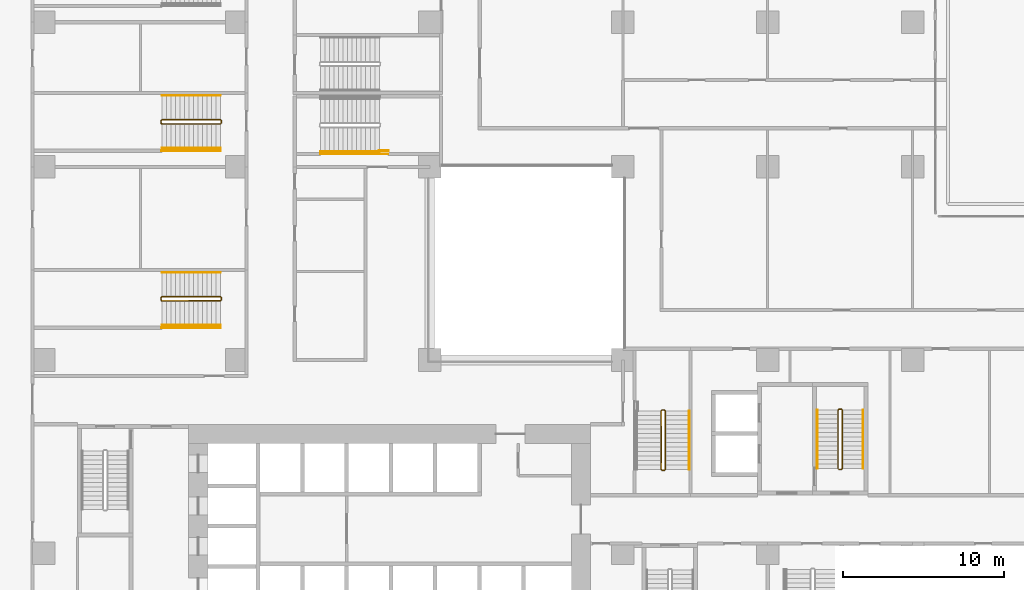
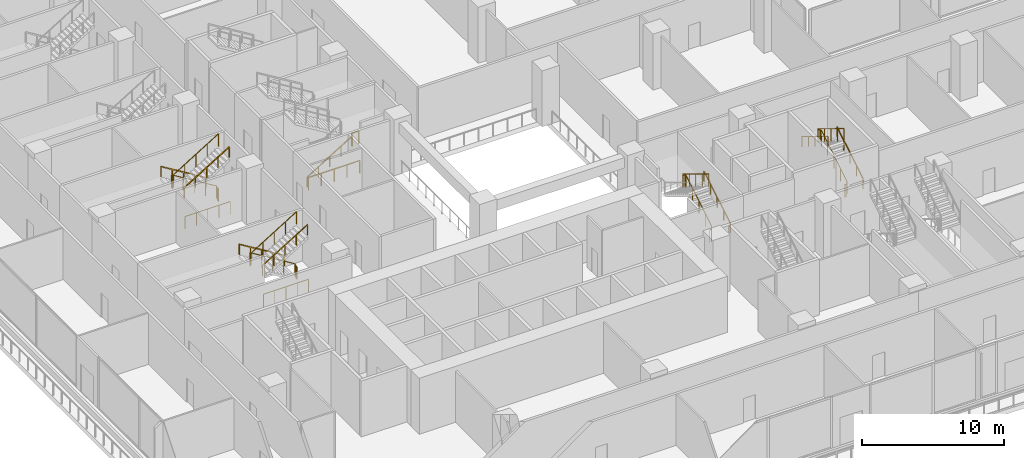
# One storey, part 23 of 26: 16 railings.
"""IFC4 building model written with IfcOpenShell, lengths in metres."""

from ifc_helpers import new_model, si_unit, direction, frame, origin, origin_2d, place, context, subcontext, project, spatial, rectangle, extrude, material, type_object, element, save


model = new_model("IFC4")

# Units and contexts
model_context = context("Model", 3, precision=1e-05, world=origin(), true_north=direction((0.0, 1.0)))
body_context = subcontext(model_context, "Body", "Model", "MODEL_VIEW")
ifc_project = project(units=[si_unit("LENGTHUNIT", "METRE"), si_unit("AREAUNIT", "SQUARE_METRE"), si_unit("VOLUMEUNIT", "CUBIC_METRE"), si_unit("PLANEANGLEUNIT", "RADIAN"), si_unit("MASSUNIT", "GRAM", prefix="KILO")], contexts=[model_context])

# Site, building, storey
site_placement = place(None, origin())
site = spatial("IfcSite", under=ifc_project, at=site_placement, CompositionType="ELEMENT")
building_placement = place(site_placement, origin())
building = spatial("IfcBuilding", under=site, at=building_placement, Name="Chenar Terraces", CompositionType="ELEMENT")
storey_placement = place(building_placement, frame((0.0, 0.0, 16.800048828125)))
storey = spatial("IfcBuildingStorey", under=building, at=storey_placement, Name="L03", CompositionType="ELEMENT", Elevation=16.800048828125)

# Railings
ifc_material_1 = material(Name="Powder-coated steel", Category="steel")
railing_type_1 = type_object("IfcRailingType", Name="Stair guard 1100", PredefinedType="GUARDRAIL", material=ifc_material_1)
railing_1_placement = place(storey_placement, frame((49.375, 17.25, 4.800048828125)))
element("IfcRailing", 1, at=railing_1_placement, inside=storey, type_object=railing_type_1, Name="L03 ST3 stair guard 1", PredefinedType="GUARDRAIL", context=body_context, shape_type="SweptSolid", body=[
    extrude(rectangle(XDim=0.048095703125, YDim=0.048095703125, at=origin_2d()), frame((0.0, 0.0, 1.076171875), z_axis=(0.0, 0.852824790078, -0.522197163366), x_axis=(-1.0, 0.0, 0.0)), (0.0, 0.0, 1.0), 4.26806640625),
    extrude(rectangle(XDim=0.048095703125, YDim=0.048095703125, at=origin_2d()), frame((0.0, 3.639892578125, -1.15283203125), z_axis=(0.269911200495, 0.269911200495, -0.924281281696), x_axis=(-0.707106781187, 0.707106781187, 0.0)), (0.0, 0.0, 1.0), 0.185546875),
    extrude(rectangle(XDim=0.048095703125, YDim=0.048095703125, at=origin_2d()), frame((0.050048828125, 3.68994140625, -1.32421875), z_axis=(1.0, 0.0, 0.0), x_axis=(0.0, 1.0, 0.0)), (0.0, 0.0, 1.0), 0.14990234375),
    extrude(rectangle(XDim=0.048095703125, YDim=0.048095703125, at=origin_2d()), frame((0.199951171875, 3.68994140625, -1.32421875), z_axis=(0.707106781187, -0.707106781187, 0.0), x_axis=(0.707106781187, 0.707106781187, 0.0)), (0.0, 0.0, 1.0), 0.07080078125),
    extrude(rectangle(XDim=0.048095703125, YDim=0.048095703125, at=origin_2d()), frame((0.25, 3.639892578125, -1.32421875), z_axis=(0.0, -0.852850264322, -0.5221555579), x_axis=(1.0, 0.0, 0.0)), (0.0, 0.0, 1.0), 4.267822265625),
    extrude(rectangle(XDim=0.048095703125, YDim=0.048095703125, at=origin_2d()), frame((0.25, 0.0, -3.552734375), z_axis=(-0.269911200495, -0.269911200495, -0.924281281696), x_axis=(0.707106781187, -0.707106781187, 0.0)), (0.0, 0.0, 1.0), 0.185546875),
    extrude(rectangle(XDim=0.048095703125, YDim=0.048095703125, at=origin_2d()), frame((0.199951171875, -0.050048828125, -3.72412109375), z_axis=(-1.0, 0.0, 0.0), x_axis=(0.0, -1.0, 0.0)), (0.0, 0.0, 1.0), 0.14990234375),
    extrude(rectangle(XDim=0.0419921875, YDim=0.0419921875, at=origin_2d()), origin(), (0.0, 0.0, 1.0), 1.052001953125),
    extrude(rectangle(XDim=0.0419921875, YDim=0.0419921875, at=origin_2d()), frame((0.0, 0.909912109375, -0.55712890625)), (0.0, 0.0, 1.0), 1.052001953125),
    extrude(rectangle(XDim=0.0419921875, YDim=0.0419921875, at=origin_2d()), frame((0.0, 1.81982421875, -1.1142578125)), (0.0, 0.0, 1.0), 1.052001953125),
    extrude(rectangle(XDim=0.0419921875, YDim=0.0419921875, at=origin_2d()), frame((0.0, 2.72998046875, -1.671630859375)), (0.0, 0.0, 1.0), 1.052001953125),
    extrude(rectangle(XDim=0.0419921875, YDim=0.0419921875, at=origin_2d()), frame((0.0, 3.639892578125, -2.228759765625)), (0.0, 0.0, 1.0), 1.052001953125),
    extrude(rectangle(XDim=0.0419921875, YDim=0.0419921875, at=origin_2d()), frame((0.050048828125, 3.68994140625, -2.400146484375)), (0.0, 0.0, 1.0), 1.052001953125),
    extrude(rectangle(XDim=0.0419921875, YDim=0.0419921875, at=origin_2d()), frame((0.199951171875, 3.68994140625, -2.400146484375)), (0.0, 0.0, 1.0), 1.052001953125),
    extrude(rectangle(XDim=0.0419921875, YDim=0.0419921875, at=origin_2d()), frame((0.25, 3.639892578125, -2.400146484375)), (0.0, 0.0, 1.0), 1.052001953125),
    extrude(rectangle(XDim=0.0419921875, YDim=0.0419921875, at=origin_2d()), frame((0.25, 2.72998046875, -2.957275390625)), (0.0, 0.0, 1.0), 1.052001953125),
    extrude(rectangle(XDim=0.0419921875, YDim=0.0419921875, at=origin_2d()), frame((0.25, 1.81982421875, -3.514404296875)), (0.0, 0.0, 1.0), 1.052001953125),
    extrude(rectangle(XDim=0.0419921875, YDim=0.0419921875, at=origin_2d()), frame((0.25, 0.909912109375, -4.071533203125)), (0.0, 0.0, 1.0), 1.052001953125),
    extrude(rectangle(XDim=0.0419921875, YDim=0.0419921875, at=origin_2d()), frame((0.25, 0.0, -4.628662109375)), (0.0, 0.0, 1.0), 1.052001953125),
    extrude(rectangle(XDim=0.0419921875, YDim=0.0419921875, at=origin_2d()), frame((0.199951171875, -0.050048828125, -4.800048828125)), (0.0, 0.0, 1.0), 1.052001953125),
    extrude(rectangle(XDim=0.0419921875, YDim=0.0419921875, at=origin_2d()), frame((0.050048828125, -0.050048828125, -4.800048828125)), (0.0, 0.0, 1.0), 1.052001953125),
])
railing_2_placement = place(storey_placement, frame((38.375, 17.199951171875, 4.800048828125)))
element("IfcRailing", 2, at=railing_2_placement, inside=storey, type_object=railing_type_1, Name="L03 PS1 stair guard 1", PredefinedType="GUARDRAIL", context=body_context, shape_type="SweptSolid", body=[
    extrude(rectangle(XDim=0.048095703125, YDim=0.048095703125, at=origin_2d()), frame((0.0, 0.0, 1.076171875), z_axis=(0.0, 0.852840387347, -0.522171689878), x_axis=(-1.0, 0.0, 0.0)), (0.0, 0.0, 1.0), 4.268310546875),
    extrude(rectangle(XDim=0.048095703125, YDim=0.048095703125, at=origin_2d()), frame((0.0, 3.64013671875, -1.15283203125), z_axis=(0.270006937388, 0.268689830376, -0.924609122178), x_axis=(-0.705375805398, 0.708833529934, 0.0)), (0.0, 0.0, 1.0), 0.185302734375),
    extrude(rectangle(XDim=0.048095703125, YDim=0.048095703125, at=origin_2d()), frame((0.050048828125, 3.68994140625, -1.32421875), z_axis=(1.0, 0.0, 0.0), x_axis=(0.0, 1.0, 0.0)), (0.0, 0.0, 1.0), 0.14990234375),
    extrude(rectangle(XDim=0.048095703125, YDim=0.048095703125, at=origin_2d()), frame((0.199951171875, 3.68994140625, -1.32421875), z_axis=(0.708833529934, -0.705375805398, 0.0), x_axis=(0.705375805398, 0.708833529934, 0.0)), (0.0, 0.0, 1.0), 0.070556640625),
    extrude(rectangle(XDim=0.048095703125, YDim=0.048095703125, at=origin_2d()), frame((0.25, 3.64013671875, -1.32421875), z_axis=(0.0, -0.852865859571, -0.52213008492), x_axis=(1.0, 0.0, 0.0)), (0.0, 0.0, 1.0), 4.26806640625),
    extrude(rectangle(XDim=0.048095703125, YDim=0.048095703125, at=origin_2d()), frame((0.25, 0.0, -3.552734375), z_axis=(-0.269911200495, -0.269911200495, -0.924281281696), x_axis=(0.707106781187, -0.707106781187, 0.0)), (0.0, 0.0, 1.0), 0.185546875),
    extrude(rectangle(XDim=0.048095703125, YDim=0.048095703125, at=origin_2d()), frame((0.199951171875, -0.050048828125, -3.72412109375), z_axis=(-1.0, 0.0, 0.0), x_axis=(0.0, -1.0, 0.0)), (0.0, 0.0, 1.0), 0.14990234375),
    extrude(rectangle(XDim=0.0419921875, YDim=0.0419921875, at=origin_2d()), origin(), (0.0, 0.0, 1.0), 1.052001953125),
    extrude(rectangle(XDim=0.0419921875, YDim=0.0419921875, at=origin_2d()), frame((0.0, 0.91015625, -0.55712890625)), (0.0, 0.0, 1.0), 1.052001953125),
    extrude(rectangle(XDim=0.0419921875, YDim=0.0419921875, at=origin_2d()), frame((0.0, 1.820068359375, -1.1142578125)), (0.0, 0.0, 1.0), 1.052001953125),
    extrude(rectangle(XDim=0.0419921875, YDim=0.0419921875, at=origin_2d()), frame((0.0, 2.72998046875, -1.671630859375)), (0.0, 0.0, 1.0), 1.052001953125),
    extrude(rectangle(XDim=0.0419921875, YDim=0.0419921875, at=origin_2d()), frame((0.0, 3.64013671875, -2.228759765625)), (0.0, 0.0, 1.0), 1.052001953125),
    extrude(rectangle(XDim=0.0419921875, YDim=0.0419921875, at=origin_2d()), frame((0.050048828125, 3.68994140625, -2.400146484375)), (0.0, 0.0, 1.0), 1.052001953125),
    extrude(rectangle(XDim=0.0419921875, YDim=0.0419921875, at=origin_2d()), frame((0.199951171875, 3.68994140625, -2.400146484375)), (0.0, 0.0, 1.0), 1.052001953125),
    extrude(rectangle(XDim=0.0419921875, YDim=0.0419921875, at=origin_2d()), frame((0.25, 3.64013671875, -2.400146484375)), (0.0, 0.0, 1.0), 1.052001953125),
    extrude(rectangle(XDim=0.0419921875, YDim=0.0419921875, at=origin_2d()), frame((0.25, 2.72998046875, -2.957275390625)), (0.0, 0.0, 1.0), 1.052001953125),
    extrude(rectangle(XDim=0.0419921875, YDim=0.0419921875, at=origin_2d()), frame((0.25, 1.820068359375, -3.514404296875)), (0.0, 0.0, 1.0), 1.052001953125),
    extrude(rectangle(XDim=0.0419921875, YDim=0.0419921875, at=origin_2d()), frame((0.25, 0.91015625, -4.071533203125)), (0.0, 0.0, 1.0), 1.052001953125),
    extrude(rectangle(XDim=0.0419921875, YDim=0.0419921875, at=origin_2d()), frame((0.25, 0.0, -4.628662109375)), (0.0, 0.0, 1.0), 1.052001953125),
    extrude(rectangle(XDim=0.0419921875, YDim=0.0419921875, at=origin_2d()), frame((0.199951171875, -0.050048828125, -4.800048828125)), (0.0, 0.0, 1.0), 1.052001953125),
    extrude(rectangle(XDim=0.0419921875, YDim=0.0419921875, at=origin_2d()), frame((0.050048828125, -0.050048828125, -4.800048828125)), (0.0, 0.0, 1.0), 1.052001953125),
])
railing_3_placement = place(storey_placement, frame((10.985107421875, 27.675048828125, 4.800048828125)))
element("IfcRailing", 3, at=railing_3_placement, inside=storey, type_object=railing_type_1, Name="L03 PS5 stair guard 1", PredefinedType="GUARDRAIL", context=body_context, shape_type="SweptSolid", body=[
    extrude(rectangle(XDim=0.048095703125, YDim=0.048095703125, at=origin_2d()), frame((0.0, 0.0, 1.076171875), z_axis=(-0.852840387347, 0.0, -0.522171689878), x_axis=(0.0, -1.0, 0.0)), (0.0, 0.0, 1.0), 4.268310546875),
    extrude(rectangle(XDim=0.048095703125, YDim=0.048095703125, at=origin_2d()), frame((-3.64013671875, 0.0, -1.15283203125), z_axis=(-0.269911200495, 0.269911200495, -0.924281281696), x_axis=(-0.707106781187, -0.707106781187, 0.0)), (0.0, 0.0, 1.0), 0.185546875),
    extrude(rectangle(XDim=0.048095703125, YDim=0.048095703125, at=origin_2d()), frame((-3.690185546875, 0.050048828125, -1.32421875), z_axis=(0.0, 1.0, 0.0), x_axis=(-1.0, 0.0, 0.0)), (0.0, 0.0, 1.0), 0.14990234375),
    extrude(rectangle(XDim=0.048095703125, YDim=0.048095703125, at=origin_2d()), frame((-3.690185546875, 0.199951171875, -1.32421875), z_axis=(0.707106781187, 0.707106781187, 0.0), x_axis=(-0.707106781187, 0.707106781187, 0.0)), (0.0, 0.0, 1.0), 0.07080078125),
    extrude(rectangle(XDim=0.048095703125, YDim=0.048095703125, at=origin_2d()), frame((-3.64013671875, 0.25, -1.32421875), z_axis=(0.852865859571, 0.0, -0.52213008492), x_axis=(0.0, 1.0, 0.0)), (0.0, 0.0, 1.0), 4.26806640625),
    extrude(rectangle(XDim=0.048095703125, YDim=0.048095703125, at=origin_2d()), frame((0.0, 0.25, -3.552734375), z_axis=(0.268689830376, -0.270006937388, -0.924609122178), x_axis=(0.708833529934, 0.705375805398, 0.0)), (0.0, 0.0, 1.0), 0.185302734375),
    extrude(rectangle(XDim=0.048095703125, YDim=0.048095703125, at=origin_2d()), frame((0.0498046875, 0.199951171875, -3.72412109375), z_axis=(0.0, -1.0, 0.0), x_axis=(1.0, 0.0, 0.0)), (0.0, 0.0, 1.0), 0.14990234375),
    extrude(rectangle(XDim=0.0419921875, YDim=0.0419921875, at=origin_2d()), origin(), (0.0, 0.0, 1.0), 1.052001953125),
    extrude(rectangle(XDim=0.0419921875, YDim=0.0419921875, at=origin_2d()), frame((-0.91015625, 0.0, -0.55712890625)), (0.0, 0.0, 1.0), 1.052001953125),
    extrude(rectangle(XDim=0.0419921875, YDim=0.0419921875, at=origin_2d()), frame((-1.820068359375, 0.0, -1.1142578125)), (0.0, 0.0, 1.0), 1.052001953125),
    extrude(rectangle(XDim=0.0419921875, YDim=0.0419921875, at=origin_2d()), frame((-2.72998046875, 0.0, -1.671630859375)), (0.0, 0.0, 1.0), 1.052001953125),
    extrude(rectangle(XDim=0.0419921875, YDim=0.0419921875, at=origin_2d()), frame((-3.64013671875, 0.0, -2.228759765625)), (0.0, 0.0, 1.0), 1.052001953125),
    extrude(rectangle(XDim=0.0419921875, YDim=0.0419921875, at=origin_2d()), frame((-3.690185546875, 0.050048828125, -2.400146484375)), (0.0, 0.0, 1.0), 1.052001953125),
    extrude(rectangle(XDim=0.0419921875, YDim=0.0419921875, at=origin_2d()), frame((-3.690185546875, 0.199951171875, -2.400146484375)), (0.0, 0.0, 1.0), 1.052001953125),
    extrude(rectangle(XDim=0.0419921875, YDim=0.0419921875, at=origin_2d()), frame((-3.64013671875, 0.25, -2.400146484375)), (0.0, 0.0, 1.0), 1.052001953125),
    extrude(rectangle(XDim=0.0419921875, YDim=0.0419921875, at=origin_2d()), frame((-2.72998046875, 0.25, -2.957275390625)), (0.0, 0.0, 1.0), 1.052001953125),
    extrude(rectangle(XDim=0.0419921875, YDim=0.0419921875, at=origin_2d()), frame((-1.820068359375, 0.25, -3.514404296875)), (0.0, 0.0, 1.0), 1.052001953125),
    extrude(rectangle(XDim=0.0419921875, YDim=0.0419921875, at=origin_2d()), frame((-0.91015625, 0.25, -4.071533203125)), (0.0, 0.0, 1.0), 1.052001953125),
    extrude(rectangle(XDim=0.0419921875, YDim=0.0419921875, at=origin_2d()), frame((0.0, 0.25, -4.628662109375)), (0.0, 0.0, 1.0), 1.052001953125),
    extrude(rectangle(XDim=0.0419921875, YDim=0.0419921875, at=origin_2d()), frame((0.0498046875, 0.199951171875, -4.800048828125)), (0.0, 0.0, 1.0), 1.052001953125),
    extrude(rectangle(XDim=0.0419921875, YDim=0.0419921875, at=origin_2d()), frame((0.0498046875, 0.050048828125, -4.800048828125)), (0.0, 0.0, 1.0), 1.052001953125),
])
railing_4_placement = place(storey_placement, frame((10.985107421875, 38.675048828125, 4.800048828125)))
element("IfcRailing", 4, at=railing_4_placement, inside=storey, type_object=railing_type_1, Name="L03 PS9 stair guard 1", PredefinedType="GUARDRAIL", context=body_context, shape_type="SweptSolid", body=[
    extrude(rectangle(XDim=0.048095703125, YDim=0.048095703125, at=origin_2d()), frame((0.0, 0.0, 1.076171875), z_axis=(-0.852840387347, 0.0, -0.522171689878), x_axis=(0.0, -1.0, 0.0)), (0.0, 0.0, 1.0), 4.268310546875),
    extrude(rectangle(XDim=0.048095703125, YDim=0.048095703125, at=origin_2d()), frame((-3.64013671875, 0.0, -1.15283203125), z_axis=(-0.269911200495, 0.269911200495, -0.924281281696), x_axis=(-0.707106781187, -0.707106781187, 0.0)), (0.0, 0.0, 1.0), 0.185546875),
    extrude(rectangle(XDim=0.048095703125, YDim=0.048095703125, at=origin_2d()), frame((-3.690185546875, 0.050048828125, -1.32421875), z_axis=(0.0, 1.0, 0.0), x_axis=(-1.0, 0.0, 0.0)), (0.0, 0.0, 1.0), 0.14990234375),
    extrude(rectangle(XDim=0.048095703125, YDim=0.048095703125, at=origin_2d()), frame((-3.690185546875, 0.199951171875, -1.32421875), z_axis=(0.707106781187, 0.707106781187, 0.0), x_axis=(-0.707106781187, 0.707106781187, 0.0)), (0.0, 0.0, 1.0), 0.07080078125),
    extrude(rectangle(XDim=0.048095703125, YDim=0.048095703125, at=origin_2d()), frame((-3.64013671875, 0.25, -1.32421875), z_axis=(0.852865859571, 0.0, -0.52213008492), x_axis=(0.0, 1.0, 0.0)), (0.0, 0.0, 1.0), 4.26806640625),
    extrude(rectangle(XDim=0.048095703125, YDim=0.048095703125, at=origin_2d()), frame((0.0, 0.25, -3.552734375), z_axis=(0.268689830376, -0.270006937388, -0.924609122178), x_axis=(0.708833529934, 0.705375805398, 0.0)), (0.0, 0.0, 1.0), 0.185302734375),
    extrude(rectangle(XDim=0.048095703125, YDim=0.048095703125, at=origin_2d()), frame((0.0498046875, 0.199951171875, -3.72412109375), z_axis=(0.0, -1.0, 0.0), x_axis=(1.0, 0.0, 0.0)), (0.0, 0.0, 1.0), 0.14990234375),
    extrude(rectangle(XDim=0.0419921875, YDim=0.0419921875, at=origin_2d()), origin(), (0.0, 0.0, 1.0), 1.052001953125),
    extrude(rectangle(XDim=0.0419921875, YDim=0.0419921875, at=origin_2d()), frame((-0.91015625, 0.0, -0.55712890625)), (0.0, 0.0, 1.0), 1.052001953125),
    extrude(rectangle(XDim=0.0419921875, YDim=0.0419921875, at=origin_2d()), frame((-1.820068359375, 0.0, -1.1142578125)), (0.0, 0.0, 1.0), 1.052001953125),
    extrude(rectangle(XDim=0.0419921875, YDim=0.0419921875, at=origin_2d()), frame((-2.72998046875, 0.0, -1.671630859375)), (0.0, 0.0, 1.0), 1.052001953125),
    extrude(rectangle(XDim=0.0419921875, YDim=0.0419921875, at=origin_2d()), frame((-3.64013671875, 0.0, -2.228759765625)), (0.0, 0.0, 1.0), 1.052001953125),
    extrude(rectangle(XDim=0.0419921875, YDim=0.0419921875, at=origin_2d()), frame((-3.690185546875, 0.050048828125, -2.400146484375)), (0.0, 0.0, 1.0), 1.052001953125),
    extrude(rectangle(XDim=0.0419921875, YDim=0.0419921875, at=origin_2d()), frame((-3.690185546875, 0.199951171875, -2.400146484375)), (0.0, 0.0, 1.0), 1.052001953125),
    extrude(rectangle(XDim=0.0419921875, YDim=0.0419921875, at=origin_2d()), frame((-3.64013671875, 0.25, -2.400146484375)), (0.0, 0.0, 1.0), 1.052001953125),
    extrude(rectangle(XDim=0.0419921875, YDim=0.0419921875, at=origin_2d()), frame((-2.72998046875, 0.25, -2.957275390625)), (0.0, 0.0, 1.0), 1.052001953125),
    extrude(rectangle(XDim=0.0419921875, YDim=0.0419921875, at=origin_2d()), frame((-1.820068359375, 0.25, -3.514404296875)), (0.0, 0.0, 1.0), 1.052001953125),
    extrude(rectangle(XDim=0.0419921875, YDim=0.0419921875, at=origin_2d()), frame((-0.91015625, 0.25, -4.071533203125)), (0.0, 0.0, 1.0), 1.052001953125),
    extrude(rectangle(XDim=0.0419921875, YDim=0.0419921875, at=origin_2d()), frame((0.0, 0.25, -4.628662109375)), (0.0, 0.0, 1.0), 1.052001953125),
    extrude(rectangle(XDim=0.0419921875, YDim=0.0419921875, at=origin_2d()), frame((0.0498046875, 0.199951171875, -4.800048828125)), (0.0, 0.0, 1.0), 1.052001953125),
    extrude(rectangle(XDim=0.0419921875, YDim=0.0419921875, at=origin_2d()), frame((0.0498046875, 0.050048828125, -4.800048828125)), (0.0, 0.0, 1.0), 1.052001953125),
])
railing_5_placement = place(storey_placement, frame((7.32421875, 26.010009765625, 0.0)))
element("IfcRailing", 5, at=railing_5_placement, inside=storey, type_object=railing_type_1, Name="L03 PS5 stair guard 101", PredefinedType="GUARDRAIL", context=body_context, shape_type="SweptSolid", body=[
    extrude(rectangle(XDim=0.048095703125, YDim=0.048095703125, at=origin_2d()), frame((0.0, 0.0, 1.076171875), z_axis=(1.0, 0.0, 0.0), x_axis=(0.0, 1.0, 0.0)), (0.0, 0.0, 1.0), 3.660888671875),
    extrude(rectangle(XDim=0.0419921875, YDim=0.0419921875, at=origin_2d()), origin(), (0.0, 0.0, 1.0), 1.052001953125),
    extrude(rectangle(XDim=0.0419921875, YDim=0.0419921875, at=origin_2d()), frame((0.915283203125, 0.0, 0.0)), (0.0, 0.0, 1.0), 1.052001953125),
    extrude(rectangle(XDim=0.0419921875, YDim=0.0419921875, at=origin_2d()), frame((1.83056640625, 0.0, 0.0)), (0.0, 0.0, 1.0), 1.052001953125),
    extrude(rectangle(XDim=0.0419921875, YDim=0.0419921875, at=origin_2d()), frame((2.74560546875, 0.0, 0.0)), (0.0, 0.0, 1.0), 1.052001953125),
    extrude(rectangle(XDim=0.0419921875, YDim=0.0419921875, at=origin_2d()), frame((3.660888671875, 0.0, 0.0)), (0.0, 0.0, 1.0), 1.052001953125),
])
railing_6_placement = place(storey_placement, frame((17.215087890625, 36.81005859375, 0.0)))
element("IfcRailing", 6, at=railing_6_placement, inside=storey, type_object=railing_type_1, Name="L03 PS7 stair guard 101", PredefinedType="GUARDRAIL", context=body_context, shape_type="SweptSolid", body=[
    extrude(rectangle(XDim=0.048095703125, YDim=0.048095703125, at=origin_2d()), frame((0.0, 0.0, 1.076171875), z_axis=(1.0, 0.0, 0.0), x_axis=(0.0, 1.0, 0.0)), (0.0, 0.0, 1.0), 4.169189453125),
    extrude(rectangle(XDim=0.0419921875, YDim=0.0419921875, at=origin_2d()), origin(), (0.0, 0.0, 1.0), 1.052001953125),
    extrude(rectangle(XDim=0.0419921875, YDim=0.0419921875, at=origin_2d()), frame((1.042236328125, 0.0, 0.0)), (0.0, 0.0, 1.0), 1.052001953125),
    extrude(rectangle(XDim=0.0419921875, YDim=0.0419921875, at=origin_2d()), frame((2.08447265625, 0.0, 0.0)), (0.0, 0.0, 1.0), 1.052001953125),
    extrude(rectangle(XDim=0.0419921875, YDim=0.0419921875, at=origin_2d()), frame((3.126953125, 0.0, 0.0)), (0.0, 0.0, 1.0), 1.052001953125),
    extrude(rectangle(XDim=0.0419921875, YDim=0.0419921875, at=origin_2d()), frame((4.169189453125, 0.0, 0.0)), (0.0, 0.0, 1.0), 1.052001953125),
])
railing_7_placement = place(storey_placement, frame((7.32421875, 37.010009765625, 0.0)))
element("IfcRailing", 7, at=railing_7_placement, inside=storey, type_object=railing_type_1, Name="L03 PS9 stair guard 101", PredefinedType="GUARDRAIL", context=body_context, shape_type="SweptSolid", body=[
    extrude(rectangle(XDim=0.048095703125, YDim=0.048095703125, at=origin_2d()), frame((0.0, 0.0, 1.076171875), z_axis=(1.0, 0.0, 0.0), x_axis=(0.0, 1.0, 0.0)), (0.0, 0.0, 1.0), 3.660888671875),
    extrude(rectangle(XDim=0.0419921875, YDim=0.0419921875, at=origin_2d()), origin(), (0.0, 0.0, 1.0), 1.052001953125),
    extrude(rectangle(XDim=0.0419921875, YDim=0.0419921875, at=origin_2d()), frame((0.915283203125, 0.0, 0.0)), (0.0, 0.0, 1.0), 1.052001953125),
    extrude(rectangle(XDim=0.0419921875, YDim=0.0419921875, at=origin_2d()), frame((1.83056640625, 0.0, 0.0)), (0.0, 0.0, 1.0), 1.052001953125),
    extrude(rectangle(XDim=0.0419921875, YDim=0.0419921875, at=origin_2d()), frame((2.74560546875, 0.0, 0.0)), (0.0, 0.0, 1.0), 1.052001953125),
    extrude(rectangle(XDim=0.0419921875, YDim=0.0419921875, at=origin_2d()), frame((3.660888671875, 0.0, 0.0)), (0.0, 0.0, 1.0), 1.052001953125),
])
railing_8_placement = place(storey_placement, frame((20.85498046875, 37.010009765625, 2.39990234375)))
element("IfcRailing", 8, at=railing_8_placement, inside=storey, type_object=railing_type_1, Name="L03 PS7 stair guard 201", PredefinedType="GUARDRAIL", context=body_context, shape_type="SweptSolid", body=[
    extrude(rectangle(XDim=0.048095703125, YDim=0.048095703125, at=origin_2d()), frame((0.0, 0.0, 1.076171875), z_axis=(1.0, 0.0, 0.0), x_axis=(0.0, 1.0, 0.0)), (0.0, 0.0, 1.0), 0.555908203125),
    extrude(rectangle(XDim=0.0419921875, YDim=0.0419921875, at=origin_2d()), origin(), (0.0, 0.0, 1.0), 1.052001953125),
    extrude(rectangle(XDim=0.0419921875, YDim=0.0419921875, at=origin_2d()), frame((0.555908203125, 0.0, 0.0)), (0.0, 0.0, 1.0), 1.052001953125),
])
ifc_material_2 = material(Name="Powder-coated steel", Category="steel")
railing_type_2 = type_object("IfcRailingType", Name="Stair handrail 900", PredefinedType="HANDRAIL", material=ifc_material_2)
railing_9_placement = place(storey_placement, frame((50.925048828125, 17.25, 0.17138671875)))
element("IfcRailing", 9, at=railing_9_placement, inside=storey, type_object=railing_type_2, Name="L03 ST3 stair handrail 1", PredefinedType="HANDRAIL", context=body_context, shape_type="SweptSolid", body=[
    extrude(rectangle(XDim=0.048095703125, YDim=0.048095703125, at=origin_2d()), frame((0.0, 0.0, 0.8759765625), z_axis=(0.0, 0.852850264322, 0.5221555579), x_axis=(-1.0, 0.0, 0.0)), (0.0, 0.0, 1.0), 4.267822265625),
    extrude(rectangle(XDim=0.0419921875, YDim=0.0419921875, at=origin_2d()), origin(), (0.0, 0.0, 1.0), 0.851806640625),
    extrude(rectangle(XDim=0.0419921875, YDim=0.0419921875, at=origin_2d()), frame((0.0, 0.909912109375, 0.55712890625)), (0.0, 0.0, 1.0), 0.851806640625),
    extrude(rectangle(XDim=0.0419921875, YDim=0.0419921875, at=origin_2d()), frame((0.0, 1.81982421875, 1.1142578125)), (0.0, 0.0, 1.0), 0.851806640625),
    extrude(rectangle(XDim=0.0419921875, YDim=0.0419921875, at=origin_2d()), frame((0.0, 2.72998046875, 1.67138671875)), (0.0, 0.0, 1.0), 0.851806640625),
    extrude(rectangle(XDim=0.0419921875, YDim=0.0419921875, at=origin_2d()), frame((0.0, 3.639892578125, 2.228515625)), (0.0, 0.0, 1.0), 0.851806640625),
])
railing_10_placement = place(storey_placement, frame((48.074951171875, 20.889892578125, 2.5712890625)))
element("IfcRailing", 10, at=railing_10_placement, inside=storey, type_object=railing_type_2, Name="L03 ST3 stair handrail 2", PredefinedType="HANDRAIL", context=body_context, shape_type="SweptSolid", body=[
    extrude(rectangle(XDim=0.048095703125, YDim=0.048095703125, at=origin_2d()), frame((0.0, 0.0, 0.8759765625), z_axis=(0.0, -0.852824790078, 0.522197163366), x_axis=(1.0, 0.0, 0.0)), (0.0, 0.0, 1.0), 4.26806640625),
    extrude(rectangle(XDim=0.0419921875, YDim=0.0419921875, at=origin_2d()), origin(), (0.0, 0.0, 1.0), 0.851806640625),
    extrude(rectangle(XDim=0.0419921875, YDim=0.0419921875, at=origin_2d()), frame((0.0, -0.909912109375, 0.55712890625)), (0.0, 0.0, 1.0), 0.851806640625),
    extrude(rectangle(XDim=0.0419921875, YDim=0.0419921875, at=origin_2d()), frame((0.0, -1.81982421875, 1.1142578125)), (0.0, 0.0, 1.0), 0.851806640625),
    extrude(rectangle(XDim=0.0419921875, YDim=0.0419921875, at=origin_2d()), frame((0.0, -2.72998046875, 1.671630859375)), (0.0, 0.0, 1.0), 0.851806640625),
    extrude(rectangle(XDim=0.0419921875, YDim=0.0419921875, at=origin_2d()), frame((0.0, -3.639892578125, 2.228759765625)), (0.0, 0.0, 1.0), 0.851806640625),
])
railing_11_placement = place(storey_placement, frame((40.125, 17.199951171875, 0.17138671875)))
element("IfcRailing", 11, at=railing_11_placement, inside=storey, type_object=railing_type_2, Name="L03 PS1 stair handrail 1", PredefinedType="HANDRAIL", context=body_context, shape_type="SweptSolid", body=[
    extrude(rectangle(XDim=0.048095703125, YDim=0.048095703125, at=origin_2d()), frame((0.0, 0.0, 0.8759765625), z_axis=(0.0, 0.852865859571, 0.52213008492), x_axis=(-1.0, 0.0, 0.0)), (0.0, 0.0, 1.0), 4.26806640625),
    extrude(rectangle(XDim=0.0419921875, YDim=0.0419921875, at=origin_2d()), origin(), (0.0, 0.0, 1.0), 0.851806640625),
    extrude(rectangle(XDim=0.0419921875, YDim=0.0419921875, at=origin_2d()), frame((0.0, 0.91015625, 0.55712890625)), (0.0, 0.0, 1.0), 0.851806640625),
    extrude(rectangle(XDim=0.0419921875, YDim=0.0419921875, at=origin_2d()), frame((0.0, 1.820068359375, 1.1142578125)), (0.0, 0.0, 1.0), 0.851806640625),
    extrude(rectangle(XDim=0.0419921875, YDim=0.0419921875, at=origin_2d()), frame((0.0, 2.72998046875, 1.67138671875)), (0.0, 0.0, 1.0), 0.851806640625),
    extrude(rectangle(XDim=0.0419921875, YDim=0.0419921875, at=origin_2d()), frame((0.0, 3.64013671875, 2.228515625)), (0.0, 0.0, 1.0), 0.851806640625),
])
railing_12_placement = place(storey_placement, frame((10.985107421875, 29.43994140625, 0.17138671875)))
element("IfcRailing", 12, at=railing_12_placement, inside=storey, type_object=railing_type_2, Name="L03 PS5 stair handrail 1", PredefinedType="HANDRAIL", context=body_context, shape_type="SweptSolid", body=[
    extrude(rectangle(XDim=0.048095703125, YDim=0.048095703125, at=origin_2d()), frame((0.0, 0.0, 0.8759765625), z_axis=(-0.852865859571, 0.0, 0.52213008492), x_axis=(0.0, -1.0, 0.0)), (0.0, 0.0, 1.0), 4.26806640625),
    extrude(rectangle(XDim=0.0419921875, YDim=0.0419921875, at=origin_2d()), origin(), (0.0, 0.0, 1.0), 0.851806640625),
    extrude(rectangle(XDim=0.0419921875, YDim=0.0419921875, at=origin_2d()), frame((-0.91015625, 0.0, 0.55712890625)), (0.0, 0.0, 1.0), 0.851806640625),
    extrude(rectangle(XDim=0.0419921875, YDim=0.0419921875, at=origin_2d()), frame((-1.820068359375, 0.0, 1.1142578125)), (0.0, 0.0, 1.0), 0.851806640625),
    extrude(rectangle(XDim=0.0419921875, YDim=0.0419921875, at=origin_2d()), frame((-2.72998046875, 0.0, 1.67138671875)), (0.0, 0.0, 1.0), 0.851806640625),
    extrude(rectangle(XDim=0.0419921875, YDim=0.0419921875, at=origin_2d()), frame((-3.64013671875, 0.0, 2.228515625)), (0.0, 0.0, 1.0), 0.851806640625),
])
railing_13_placement = place(storey_placement, frame((7.344970703125, 26.159912109375, 2.5712890625)))
element("IfcRailing", 13, at=railing_13_placement, inside=storey, type_object=railing_type_2, Name="L03 PS5 stair handrail 2", PredefinedType="HANDRAIL", context=body_context, shape_type="SweptSolid", body=[
    extrude(rectangle(XDim=0.048095703125, YDim=0.048095703125, at=origin_2d()), frame((0.0, 0.0, 0.8759765625), z_axis=(0.852840387347, 0.0, 0.522171689878), x_axis=(0.0, 1.0, 0.0)), (0.0, 0.0, 1.0), 4.268310546875),
    extrude(rectangle(XDim=0.0419921875, YDim=0.0419921875, at=origin_2d()), origin(), (0.0, 0.0, 1.0), 0.851806640625),
    extrude(rectangle(XDim=0.0419921875, YDim=0.0419921875, at=origin_2d()), frame((0.91015625, 0.0, 0.55712890625)), (0.0, 0.0, 1.0), 0.851806640625),
    extrude(rectangle(XDim=0.0419921875, YDim=0.0419921875, at=origin_2d()), frame((1.820068359375, 0.0, 1.1142578125)), (0.0, 0.0, 1.0), 0.851806640625),
    extrude(rectangle(XDim=0.0419921875, YDim=0.0419921875, at=origin_2d()), frame((2.72998046875, 0.0, 1.671630859375)), (0.0, 0.0, 1.0), 0.851806640625),
    extrude(rectangle(XDim=0.0419921875, YDim=0.0419921875, at=origin_2d()), frame((3.64013671875, 0.0, 2.228759765625)), (0.0, 0.0, 1.0), 0.851806640625),
])
railing_14_placement = place(storey_placement, frame((17.215087890625, 36.9599609375, 0.17138671875)))
element("IfcRailing", 14, at=railing_14_placement, inside=storey, type_object=railing_type_2, Name="L03 PS7 stair handrail 1", PredefinedType="HANDRAIL", context=body_context, shape_type="SweptSolid", body=[
    extrude(rectangle(XDim=0.048095703125, YDim=0.048095703125, at=origin_2d()), frame((0.0, 0.0, 0.8759765625), z_axis=(0.852850264322, 0.0, 0.5221555579), x_axis=(0.0, 1.0, 0.0)), (0.0, 0.0, 1.0), 4.267822265625),
    extrude(rectangle(XDim=0.0419921875, YDim=0.0419921875, at=origin_2d()), origin(), (0.0, 0.0, 1.0), 0.851806640625),
    extrude(rectangle(XDim=0.0419921875, YDim=0.0419921875, at=origin_2d()), frame((0.909912109375, 0.0, 0.55712890625)), (0.0, 0.0, 1.0), 0.851806640625),
    extrude(rectangle(XDim=0.0419921875, YDim=0.0419921875, at=origin_2d()), frame((1.81982421875, 0.0, 1.1142578125)), (0.0, 0.0, 1.0), 0.851806640625),
    extrude(rectangle(XDim=0.0419921875, YDim=0.0419921875, at=origin_2d()), frame((2.72998046875, 0.0, 1.67138671875)), (0.0, 0.0, 1.0), 0.851806640625),
    extrude(rectangle(XDim=0.0419921875, YDim=0.0419921875, at=origin_2d()), frame((3.639892578125, 0.0, 2.228515625)), (0.0, 0.0, 1.0), 0.851806640625),
])
railing_15_placement = place(storey_placement, frame((10.985107421875, 40.43994140625, 0.17138671875)))
element("IfcRailing", 15, at=railing_15_placement, inside=storey, type_object=railing_type_2, Name="L03 PS9 stair handrail 1", PredefinedType="HANDRAIL", context=body_context, shape_type="SweptSolid", body=[
    extrude(rectangle(XDim=0.048095703125, YDim=0.048095703125, at=origin_2d()), frame((0.0, 0.0, 0.8759765625), z_axis=(-0.852865859571, 0.0, 0.52213008492), x_axis=(0.0, -1.0, 0.0)), (0.0, 0.0, 1.0), 4.26806640625),
    extrude(rectangle(XDim=0.0419921875, YDim=0.0419921875, at=origin_2d()), origin(), (0.0, 0.0, 1.0), 0.851806640625),
    extrude(rectangle(XDim=0.0419921875, YDim=0.0419921875, at=origin_2d()), frame((-0.91015625, 0.0, 0.55712890625)), (0.0, 0.0, 1.0), 0.851806640625),
    extrude(rectangle(XDim=0.0419921875, YDim=0.0419921875, at=origin_2d()), frame((-1.820068359375, 0.0, 1.1142578125)), (0.0, 0.0, 1.0), 0.851806640625),
    extrude(rectangle(XDim=0.0419921875, YDim=0.0419921875, at=origin_2d()), frame((-2.72998046875, 0.0, 1.67138671875)), (0.0, 0.0, 1.0), 0.851806640625),
    extrude(rectangle(XDim=0.0419921875, YDim=0.0419921875, at=origin_2d()), frame((-3.64013671875, 0.0, 2.228515625)), (0.0, 0.0, 1.0), 0.851806640625),
])
railing_16_placement = place(storey_placement, frame((7.344970703125, 37.159912109375, 2.5712890625)))
element("IfcRailing", 16, at=railing_16_placement, inside=storey, type_object=railing_type_2, Name="L03 PS9 stair handrail 2", PredefinedType="HANDRAIL", context=body_context, shape_type="SweptSolid", body=[
    extrude(rectangle(XDim=0.048095703125, YDim=0.048095703125, at=origin_2d()), frame((0.0, 0.0, 0.8759765625), z_axis=(0.852840387347, 0.0, 0.522171689878), x_axis=(0.0, 1.0, 0.0)), (0.0, 0.0, 1.0), 4.268310546875),
    extrude(rectangle(XDim=0.0419921875, YDim=0.0419921875, at=origin_2d()), origin(), (0.0, 0.0, 1.0), 0.851806640625),
    extrude(rectangle(XDim=0.0419921875, YDim=0.0419921875, at=origin_2d()), frame((0.91015625, 0.0, 0.55712890625)), (0.0, 0.0, 1.0), 0.851806640625),
    extrude(rectangle(XDim=0.0419921875, YDim=0.0419921875, at=origin_2d()), frame((1.820068359375, 0.0, 1.1142578125)), (0.0, 0.0, 1.0), 0.851806640625),
    extrude(rectangle(XDim=0.0419921875, YDim=0.0419921875, at=origin_2d()), frame((2.72998046875, 0.0, 1.671630859375)), (0.0, 0.0, 1.0), 0.851806640625),
    extrude(rectangle(XDim=0.0419921875, YDim=0.0419921875, at=origin_2d()), frame((3.64013671875, 0.0, 2.228759765625)), (0.0, 0.0, 1.0), 0.851806640625),
])

save(model, "model.ifc")
